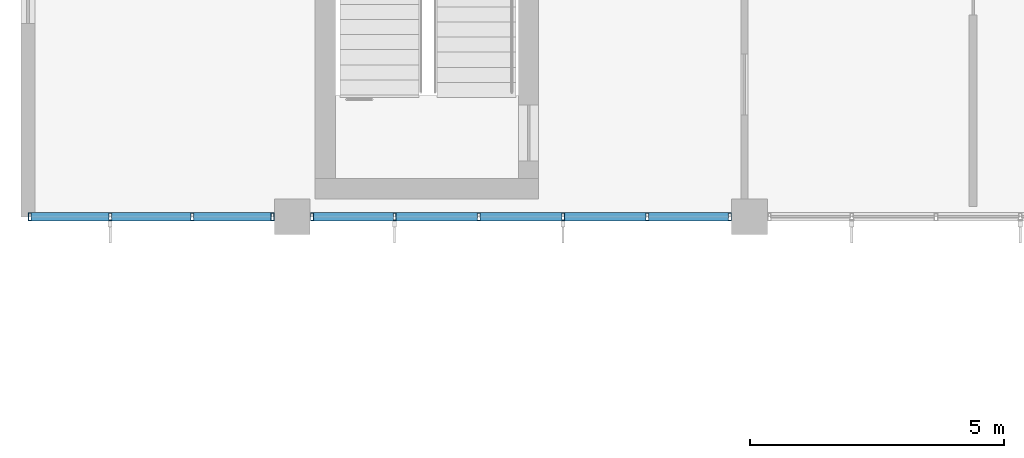
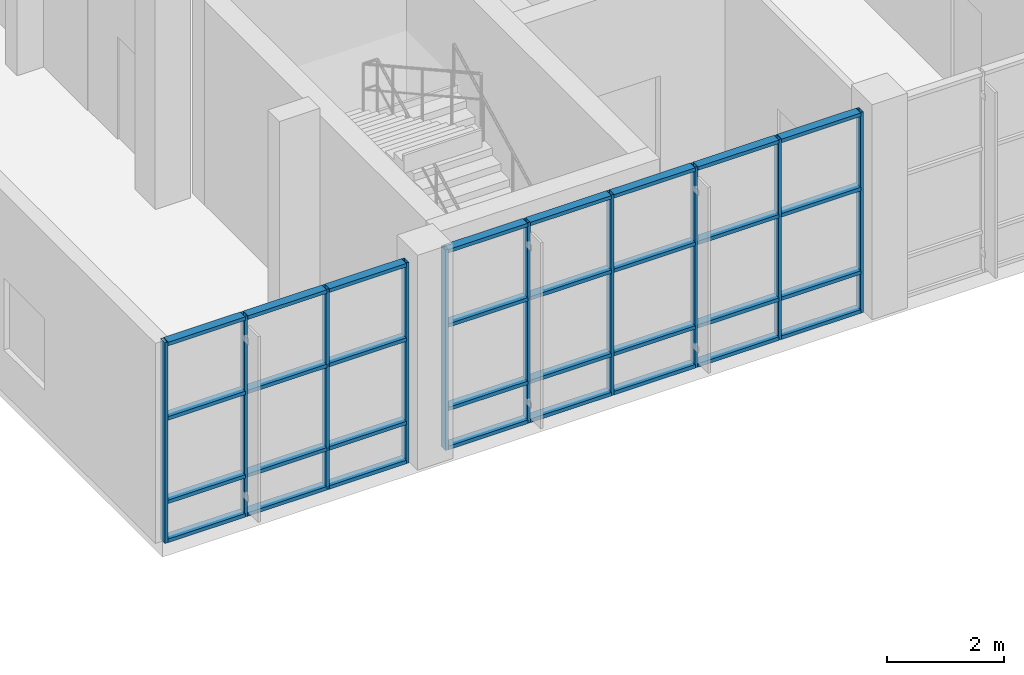
# One storey, part 5 of 29: 42 members, 2 elements without a shape of their own.
"""IFC4 building model written with IfcOpenShell, lengths in metres."""

from ifc_helpers import new_model, si_unit, direction, frame, origin, origin_2d, place, context, subcontext, project, spatial, hollow_rectangle, extrude, material, layer, layer_set, material_profile, profile_set, type_object, element, aggregate, save


model = new_model("IFC4")

# Units and contexts
model_context = context("Model", 3, precision=1e-05, world=origin(), true_north=direction((0.0, 1.0)))
body_context = subcontext(model_context, "Body", "Model", "MODEL_VIEW")
ifc_project = project(units=[si_unit("LENGTHUNIT", "METRE"), si_unit("AREAUNIT", "SQUARE_METRE"), si_unit("VOLUMEUNIT", "CUBIC_METRE"), si_unit("PLANEANGLEUNIT", "RADIAN"), si_unit("MASSUNIT", "GRAM", prefix="KILO")], contexts=[model_context])

# Site, building, storey
site_placement = place(None, origin())
site = spatial("IfcSite", under=ifc_project, at=site_placement, CompositionType="ELEMENT")
building_placement = place(site_placement, origin())
building = spatial("IfcBuilding", under=site, at=building_placement, Name="Ventoquebrada Cableway Terminal", CompositionType="ELEMENT")
storey_placement = place(building_placement, frame((0.0, 0.0, 18.89990234375)))
storey = spatial("IfcBuildingStorey", under=building, at=storey_placement, Name="L04", CompositionType="ELEMENT", Elevation=18.89990234375)

# Curtain wall, members
ifc_material = material(Name="Anodized thermally-broken aluminium", Category="aluminium")
ifc_layer_1 = layer(ifc_material, 0.159912109375)
ifc_layer_set_1 = layer_set([ifc_layer_1], Name="Anodized thermally-broken aluminium")
curtain_wall_type_1 = type_object("IfcCurtainWallType", Name="CW-T25", PredefinedType="USERDEFINED", material=ifc_layer_set_1)
curtain_wall_1_placement = place(storey_placement, origin())
curtain_wall_1 = element("IfcCurtainWall", 1, at=curtain_wall_1_placement, inside=storey, type_object=curtain_wall_type_1, Name="Unitised glazed curtain wall CW-060", ObjectType="UNITISED CURTAIN WALL", PredefinedType="USERDEFINED")
ifc_material_profile_1 = material_profile(ifc_material, hollow_rectangle(XDim=0.06005859375, YDim=0.14990234375, WallThickness=0.00390625, at=origin_2d()), Name="CW-MUL-60X150")
ifc_profile_set_1 = profile_set([ifc_material_profile_1], Name="Anodized thermally-broken aluminium")
member_type_1 = type_object("IfcMemberType", Name="CWM-03", PredefinedType="MULLION", material=ifc_profile_set_1)
member_1_placement = place(storey_placement, frame((3.034912109375, 77.0, -0.0078125), z_axis=(0.0, 0.0, 1.0), x_axis=(1.0, 0.0, 0.0)))
member_1 = element("IfcMember", 2, at=member_1_placement, type_object=member_type_1, Name="Curtain wall mullion FML-0276", PredefinedType="MULLION", context=body_context, shape_type="SweptSolid", body=[
    extrude(hollow_rectangle(XDim=0.06005859375, YDim=0.14990234375, WallThickness=0.00390625, at=origin_2d()), origin(), (0.0, 0.0, 1.0), 4.202880859375),
])
member_2_placement = place(storey_placement, frame((4.614990234375, 77.0, -0.0078125), z_axis=(0.0, 0.0, 1.0), x_axis=(1.0, 0.0, 0.0)))
member_2 = element("IfcMember", 3, at=member_2_placement, type_object=member_type_1, Name="Curtain wall mullion FML-0277", PredefinedType="MULLION", context=body_context, shape_type="SweptSolid", body=[
    extrude(hollow_rectangle(XDim=0.06005859375, YDim=0.14990234375, WallThickness=0.00390625, at=origin_2d()), origin(), (0.0, 0.0, 1.0), 4.202880859375),
])
member_3_placement = place(storey_placement, frame((6.22998046875, 77.0, -0.0078125), z_axis=(0.0, 0.0, 1.0), x_axis=(1.0, 0.0, 0.0)))
member_3 = element("IfcMember", 4, at=member_3_placement, type_object=member_type_1, Name="Curtain wall mullion FML-0278", PredefinedType="MULLION", context=body_context, shape_type="SweptSolid", body=[
    extrude(hollow_rectangle(XDim=0.06005859375, YDim=0.14990234375, WallThickness=0.00390625, at=origin_2d()), origin(), (0.0, 0.0, 1.0), 4.202880859375),
])
member_4_placement = place(storey_placement, frame((7.81005859375, 77.0, -0.0078125), z_axis=(0.0, 0.0, 1.0), x_axis=(1.0, 0.0, 0.0)))
member_4 = element("IfcMember", 5, at=member_4_placement, type_object=member_type_1, Name="Curtain wall mullion FML-0279", PredefinedType="MULLION", context=body_context, shape_type="SweptSolid", body=[
    extrude(hollow_rectangle(XDim=0.06005859375, YDim=0.14990234375, WallThickness=0.00390625, at=origin_2d()), origin(), (0.0, 0.0, 1.0), 4.202880859375),
])

ifc_layer_2 = layer(ifc_material, 0.159912109375)
ifc_layer_set_2 = layer_set([ifc_layer_2], Name="Anodized thermally-broken aluminium")
curtain_wall_type_2 = type_object("IfcCurtainWallType", Name="CW-T26", PredefinedType="USERDEFINED", material=ifc_layer_set_2)
curtain_wall_2_placement = place(storey_placement, origin())
curtain_wall_2 = element("IfcCurtainWall", 6, at=curtain_wall_2_placement, inside=storey, type_object=curtain_wall_type_2, Name="Unitised glazed curtain wall CW-061", ObjectType="UNITISED CURTAIN WALL", PredefinedType="USERDEFINED")
member_5_placement = place(storey_placement, frame((8.590087890625, 77.0, -0.0078125), z_axis=(0.0, 0.0, 1.0), x_axis=(1.0, 0.0, 0.0)))
member_5 = element("IfcMember", 7, at=member_5_placement, type_object=member_type_1, Name="Curtain wall mullion FML-0280", PredefinedType="MULLION", context=body_context, shape_type="SweptSolid", body=[
    extrude(hollow_rectangle(XDim=0.06005859375, YDim=0.14990234375, WallThickness=0.00390625, at=origin_2d()), origin(), (0.0, 0.0, 1.0), 4.202880859375),
])
member_6_placement = place(storey_placement, frame((10.212890625, 77.0, -0.0078125), z_axis=(0.0, 0.0, 1.0), x_axis=(1.0, 0.0, 0.0)))
member_6 = element("IfcMember", 8, at=member_6_placement, type_object=member_type_1, Name="Curtain wall mullion FML-0281", PredefinedType="MULLION", context=body_context, shape_type="SweptSolid", body=[
    extrude(hollow_rectangle(XDim=0.06005859375, YDim=0.14990234375, WallThickness=0.00390625, at=origin_2d()), origin(), (0.0, 0.0, 1.0), 4.202880859375),
])
member_7_placement = place(storey_placement, frame((11.87109375, 77.0, -0.0078125), z_axis=(0.0, 0.0, 1.0), x_axis=(1.0, 0.0, 0.0)))
member_7 = element("IfcMember", 9, at=member_7_placement, type_object=member_type_1, Name="Curtain wall mullion FML-0282", PredefinedType="MULLION", context=body_context, shape_type="SweptSolid", body=[
    extrude(hollow_rectangle(XDim=0.06005859375, YDim=0.14990234375, WallThickness=0.00390625, at=origin_2d()), origin(), (0.0, 0.0, 1.0), 4.202880859375),
])
member_8_placement = place(storey_placement, frame((13.529052734375, 77.0, -0.0078125), z_axis=(0.0, 0.0, 1.0), x_axis=(1.0, 0.0, 0.0)))
member_8 = element("IfcMember", 10, at=member_8_placement, type_object=member_type_1, Name="Curtain wall mullion FML-0283", PredefinedType="MULLION", context=body_context, shape_type="SweptSolid", body=[
    extrude(hollow_rectangle(XDim=0.06005859375, YDim=0.14990234375, WallThickness=0.00390625, at=origin_2d()), origin(), (0.0, 0.0, 1.0), 4.202880859375),
])
member_9_placement = place(storey_placement, frame((15.18701171875, 77.0, -0.0078125), z_axis=(0.0, 0.0, 1.0), x_axis=(1.0, 0.0, 0.0)))
member_9 = element("IfcMember", 11, at=member_9_placement, type_object=member_type_1, Name="Curtain wall mullion FML-0284", PredefinedType="MULLION", context=body_context, shape_type="SweptSolid", body=[
    extrude(hollow_rectangle(XDim=0.06005859375, YDim=0.14990234375, WallThickness=0.00390625, at=origin_2d()), origin(), (0.0, 0.0, 1.0), 4.202880859375),
])
member_10_placement = place(storey_placement, frame((16.81005859375, 77.0, -0.0078125), z_axis=(0.0, 0.0, 1.0), x_axis=(1.0, 0.0, 0.0)))
member_10 = element("IfcMember", 12, at=member_10_placement, type_object=member_type_1, Name="Curtain wall mullion FML-0285", PredefinedType="MULLION", context=body_context, shape_type="SweptSolid", body=[
    extrude(hollow_rectangle(XDim=0.06005859375, YDim=0.14990234375, WallThickness=0.00390625, at=origin_2d()), origin(), (0.0, 0.0, 1.0), 4.202880859375),
])

# Member
ifc_material_profile_2 = material_profile(ifc_material, hollow_rectangle(XDim=0.074951171875, YDim=0.169921875, WallThickness=0.00439453125, at=origin_2d()), Name="CW-TRN-75X170")
ifc_profile_set_2 = profile_set([ifc_material_profile_2], Name="Anodized thermally-broken aluminium")
member_type_2 = type_object("IfcMemberType", Name="CWT-03", PredefinedType="USERDEFINED", material=ifc_profile_set_2)
member_11_placement = place(storey_placement, frame((3.06005859375, 77.0, 0.03515625), z_axis=(1.0, 0.0, 0.0), x_axis=(0.0, 0.0, 1.0)))
member_11 = element("IfcMember", 13, at=member_11_placement, type_object=member_type_2, Name="Curtain wall transom FTR-0810", ObjectType="TRANSOM", PredefinedType="USERDEFINED", context=body_context, shape_type="SweptSolid", body=[
    extrude(hollow_rectangle(XDim=0.074951171875, YDim=0.169921875, WallThickness=0.00439453125, at=origin_2d()), origin(), (0.0, 0.0, 1.0), 1.530029296875),
])

member_12_placement = place(storey_placement, frame((3.06005859375, 77.0, 0.85009765625), z_axis=(1.0, 0.0, 0.0), x_axis=(0.0, 0.0, 1.0)))
member_12 = element("IfcMember", 14, at=member_12_placement, type_object=member_type_2, Name="Curtain wall transom FTR-0811", ObjectType="TRANSOM", PredefinedType="USERDEFINED", context=body_context, shape_type="SweptSolid", body=[
    extrude(hollow_rectangle(XDim=0.074951171875, YDim=0.169921875, WallThickness=0.00439453125, at=origin_2d()), origin(), (0.0, 0.0, 1.0), 1.530029296875),
])

member_13_placement = place(storey_placement, frame((3.06005859375, 77.0, 2.59814453125), z_axis=(1.0, 0.0, 0.0), x_axis=(0.0, 0.0, 1.0)))
member_13 = element("IfcMember", 15, at=member_13_placement, type_object=member_type_2, Name="Curtain wall transom FTR-0812", ObjectType="TRANSOM", PredefinedType="USERDEFINED", context=body_context, shape_type="SweptSolid", body=[
    extrude(hollow_rectangle(XDim=0.074951171875, YDim=0.169921875, WallThickness=0.00439453125, at=origin_2d()), origin(), (0.0, 0.0, 1.0), 1.530029296875),
])

member_14_placement = place(storey_placement, frame((3.06005859375, 77.0, 4.155029296875), z_axis=(1.0, 0.0, 0.0), x_axis=(0.0, 0.0, 1.0)))
member_14 = element("IfcMember", 16, at=member_14_placement, type_object=member_type_2, Name="Curtain wall transom FTR-0813", ObjectType="TRANSOM", PredefinedType="USERDEFINED", context=body_context, shape_type="SweptSolid", body=[
    extrude(hollow_rectangle(XDim=0.074951171875, YDim=0.169921875, WallThickness=0.00439453125, at=origin_2d()), origin(), (0.0, 0.0, 1.0), 1.530029296875),
])

member_15_placement = place(storey_placement, frame((4.639892578125, 77.0, 0.03515625), z_axis=(1.0, 0.0, 0.0), x_axis=(0.0, 0.0, 1.0)))
member_15 = element("IfcMember", 17, at=member_15_placement, type_object=member_type_2, Name="Curtain wall transom FTR-0814", ObjectType="TRANSOM", PredefinedType="USERDEFINED", context=body_context, shape_type="SweptSolid", body=[
    extrude(hollow_rectangle(XDim=0.074951171875, YDim=0.169921875, WallThickness=0.00439453125, at=origin_2d()), origin(), (0.0, 0.0, 1.0), 1.565185546875),
])

member_16_placement = place(storey_placement, frame((4.639892578125, 77.0, 0.85009765625), z_axis=(1.0, 0.0, 0.0), x_axis=(0.0, 0.0, 1.0)))
member_16 = element("IfcMember", 18, at=member_16_placement, type_object=member_type_2, Name="Curtain wall transom FTR-0815", ObjectType="TRANSOM", PredefinedType="USERDEFINED", context=body_context, shape_type="SweptSolid", body=[
    extrude(hollow_rectangle(XDim=0.074951171875, YDim=0.169921875, WallThickness=0.00439453125, at=origin_2d()), origin(), (0.0, 0.0, 1.0), 1.565185546875),
])

member_17_placement = place(storey_placement, frame((4.639892578125, 77.0, 2.59814453125), z_axis=(1.0, 0.0, 0.0), x_axis=(0.0, 0.0, 1.0)))
member_17 = element("IfcMember", 19, at=member_17_placement, type_object=member_type_2, Name="Curtain wall transom FTR-0816", ObjectType="TRANSOM", PredefinedType="USERDEFINED", context=body_context, shape_type="SweptSolid", body=[
    extrude(hollow_rectangle(XDim=0.074951171875, YDim=0.169921875, WallThickness=0.00439453125, at=origin_2d()), origin(), (0.0, 0.0, 1.0), 1.565185546875),
])

member_18_placement = place(storey_placement, frame((4.639892578125, 77.0, 4.155029296875), z_axis=(1.0, 0.0, 0.0), x_axis=(0.0, 0.0, 1.0)))
member_18 = element("IfcMember", 20, at=member_18_placement, type_object=member_type_2, Name="Curtain wall transom FTR-0817", ObjectType="TRANSOM", PredefinedType="USERDEFINED", context=body_context, shape_type="SweptSolid", body=[
    extrude(hollow_rectangle(XDim=0.074951171875, YDim=0.169921875, WallThickness=0.00439453125, at=origin_2d()), origin(), (0.0, 0.0, 1.0), 1.565185546875),
])

member_19_placement = place(storey_placement, frame((6.2548828125, 77.0, 0.03515625), z_axis=(1.0, 0.0, 0.0), x_axis=(0.0, 0.0, 1.0)))
member_19 = element("IfcMember", 21, at=member_19_placement, type_object=member_type_2, Name="Curtain wall transom FTR-0818", ObjectType="TRANSOM", PredefinedType="USERDEFINED", context=body_context, shape_type="SweptSolid", body=[
    extrude(hollow_rectangle(XDim=0.074951171875, YDim=0.169921875, WallThickness=0.00439453125, at=origin_2d()), origin(), (0.0, 0.0, 1.0), 1.530029296875),
])

member_20_placement = place(storey_placement, frame((6.2548828125, 77.0, 0.85009765625), z_axis=(1.0, 0.0, 0.0), x_axis=(0.0, 0.0, 1.0)))
member_20 = element("IfcMember", 22, at=member_20_placement, type_object=member_type_2, Name="Curtain wall transom FTR-0819", ObjectType="TRANSOM", PredefinedType="USERDEFINED", context=body_context, shape_type="SweptSolid", body=[
    extrude(hollow_rectangle(XDim=0.074951171875, YDim=0.169921875, WallThickness=0.00439453125, at=origin_2d()), origin(), (0.0, 0.0, 1.0), 1.530029296875),
])

member_21_placement = place(storey_placement, frame((6.2548828125, 77.0, 2.59814453125), z_axis=(1.0, 0.0, 0.0), x_axis=(0.0, 0.0, 1.0)))
member_21 = element("IfcMember", 23, at=member_21_placement, type_object=member_type_2, Name="Curtain wall transom FTR-0820", ObjectType="TRANSOM", PredefinedType="USERDEFINED", context=body_context, shape_type="SweptSolid", body=[
    extrude(hollow_rectangle(XDim=0.074951171875, YDim=0.169921875, WallThickness=0.00439453125, at=origin_2d()), origin(), (0.0, 0.0, 1.0), 1.530029296875),
])

member_22_placement = place(storey_placement, frame((6.2548828125, 77.0, 4.155029296875), z_axis=(1.0, 0.0, 0.0), x_axis=(0.0, 0.0, 1.0)))
member_22 = element("IfcMember", 24, at=member_22_placement, type_object=member_type_2, Name="Curtain wall transom FTR-0821", ObjectType="TRANSOM", PredefinedType="USERDEFINED", context=body_context, shape_type="SweptSolid", body=[
    extrude(hollow_rectangle(XDim=0.074951171875, YDim=0.169921875, WallThickness=0.00439453125, at=origin_2d()), origin(), (0.0, 0.0, 1.0), 1.530029296875),
])

aggregate(curtain_wall_1, [member_1, member_2, member_3, member_4, member_11, member_12, member_13, member_14, member_15, member_16, member_17, member_18, member_19, member_20, member_21, member_22])

member_23_placement = place(storey_placement, frame((8.614990234375, 77.0, 0.03515625), z_axis=(1.0, 0.0, 0.0), x_axis=(0.0, 0.0, 1.0)))
member_23 = element("IfcMember", 25, at=member_23_placement, type_object=member_type_2, Name="Curtain wall transom FTR-0822", ObjectType="TRANSOM", PredefinedType="USERDEFINED", context=body_context, shape_type="SweptSolid", body=[
    extrude(hollow_rectangle(XDim=0.074951171875, YDim=0.169921875, WallThickness=0.00439453125, at=origin_2d()), origin(), (0.0, 0.0, 1.0), 1.572998046875),
])

member_24_placement = place(storey_placement, frame((8.614990234375, 77.0, 0.85009765625), z_axis=(1.0, 0.0, 0.0), x_axis=(0.0, 0.0, 1.0)))
member_24 = element("IfcMember", 26, at=member_24_placement, type_object=member_type_2, Name="Curtain wall transom FTR-0823", ObjectType="TRANSOM", PredefinedType="USERDEFINED", context=body_context, shape_type="SweptSolid", body=[
    extrude(hollow_rectangle(XDim=0.074951171875, YDim=0.169921875, WallThickness=0.00439453125, at=origin_2d()), origin(), (0.0, 0.0, 1.0), 1.572998046875),
])

member_25_placement = place(storey_placement, frame((8.614990234375, 77.0, 2.59814453125), z_axis=(1.0, 0.0, 0.0), x_axis=(0.0, 0.0, 1.0)))
member_25 = element("IfcMember", 27, at=member_25_placement, type_object=member_type_2, Name="Curtain wall transom FTR-0824", ObjectType="TRANSOM", PredefinedType="USERDEFINED", context=body_context, shape_type="SweptSolid", body=[
    extrude(hollow_rectangle(XDim=0.074951171875, YDim=0.169921875, WallThickness=0.00439453125, at=origin_2d()), origin(), (0.0, 0.0, 1.0), 1.572998046875),
])

member_26_placement = place(storey_placement, frame((8.614990234375, 77.0, 4.155029296875), z_axis=(1.0, 0.0, 0.0), x_axis=(0.0, 0.0, 1.0)))
member_26 = element("IfcMember", 28, at=member_26_placement, type_object=member_type_2, Name="Curtain wall transom FTR-0825", ObjectType="TRANSOM", PredefinedType="USERDEFINED", context=body_context, shape_type="SweptSolid", body=[
    extrude(hollow_rectangle(XDim=0.074951171875, YDim=0.169921875, WallThickness=0.00439453125, at=origin_2d()), origin(), (0.0, 0.0, 1.0), 1.572998046875),
])

member_27_placement = place(storey_placement, frame((10.238037109375, 77.0, 0.03515625), z_axis=(1.0, 0.0, 0.0), x_axis=(0.0, 0.0, 1.0)))
member_27 = element("IfcMember", 29, at=member_27_placement, type_object=member_type_2, Name="Curtain wall transom FTR-0826", ObjectType="TRANSOM", PredefinedType="USERDEFINED", context=body_context, shape_type="SweptSolid", body=[
    extrude(hollow_rectangle(XDim=0.074951171875, YDim=0.169921875, WallThickness=0.00439453125, at=origin_2d()), origin(), (0.0, 0.0, 1.0), 1.60791015625),
])

member_28_placement = place(storey_placement, frame((10.238037109375, 77.0, 0.85009765625), z_axis=(1.0, 0.0, 0.0), x_axis=(0.0, 0.0, 1.0)))
member_28 = element("IfcMember", 30, at=member_28_placement, type_object=member_type_2, Name="Curtain wall transom FTR-0827", ObjectType="TRANSOM", PredefinedType="USERDEFINED", context=body_context, shape_type="SweptSolid", body=[
    extrude(hollow_rectangle(XDim=0.074951171875, YDim=0.169921875, WallThickness=0.00439453125, at=origin_2d()), origin(), (0.0, 0.0, 1.0), 1.60791015625),
])

member_29_placement = place(storey_placement, frame((10.238037109375, 77.0, 2.59814453125), z_axis=(1.0, 0.0, 0.0), x_axis=(0.0, 0.0, 1.0)))
member_29 = element("IfcMember", 31, at=member_29_placement, type_object=member_type_2, Name="Curtain wall transom FTR-0828", ObjectType="TRANSOM", PredefinedType="USERDEFINED", context=body_context, shape_type="SweptSolid", body=[
    extrude(hollow_rectangle(XDim=0.074951171875, YDim=0.169921875, WallThickness=0.00439453125, at=origin_2d()), origin(), (0.0, 0.0, 1.0), 1.60791015625),
])

member_30_placement = place(storey_placement, frame((10.238037109375, 77.0, 4.155029296875), z_axis=(1.0, 0.0, 0.0), x_axis=(0.0, 0.0, 1.0)))
member_30 = element("IfcMember", 32, at=member_30_placement, type_object=member_type_2, Name="Curtain wall transom FTR-0829", ObjectType="TRANSOM", PredefinedType="USERDEFINED", context=body_context, shape_type="SweptSolid", body=[
    extrude(hollow_rectangle(XDim=0.074951171875, YDim=0.169921875, WallThickness=0.00439453125, at=origin_2d()), origin(), (0.0, 0.0, 1.0), 1.60791015625),
])

member_31_placement = place(storey_placement, frame((11.89599609375, 77.0, 0.03515625), z_axis=(1.0, 0.0, 0.0), x_axis=(0.0, 0.0, 1.0)))
member_31 = element("IfcMember", 33, at=member_31_placement, type_object=member_type_2, Name="Curtain wall transom FTR-0830", ObjectType="TRANSOM", PredefinedType="USERDEFINED", context=body_context, shape_type="SweptSolid", body=[
    extrude(hollow_rectangle(XDim=0.074951171875, YDim=0.169921875, WallThickness=0.00439453125, at=origin_2d()), origin(), (0.0, 0.0, 1.0), 1.60791015625),
])

member_32_placement = place(storey_placement, frame((11.89599609375, 77.0, 0.85009765625), z_axis=(1.0, 0.0, 0.0), x_axis=(0.0, 0.0, 1.0)))
member_32 = element("IfcMember", 34, at=member_32_placement, type_object=member_type_2, Name="Curtain wall transom FTR-0831", ObjectType="TRANSOM", PredefinedType="USERDEFINED", context=body_context, shape_type="SweptSolid", body=[
    extrude(hollow_rectangle(XDim=0.074951171875, YDim=0.169921875, WallThickness=0.00439453125, at=origin_2d()), origin(), (0.0, 0.0, 1.0), 1.60791015625),
])

member_33_placement = place(storey_placement, frame((11.89599609375, 77.0, 2.59814453125), z_axis=(1.0, 0.0, 0.0), x_axis=(0.0, 0.0, 1.0)))
member_33 = element("IfcMember", 35, at=member_33_placement, type_object=member_type_2, Name="Curtain wall transom FTR-0832", ObjectType="TRANSOM", PredefinedType="USERDEFINED", context=body_context, shape_type="SweptSolid", body=[
    extrude(hollow_rectangle(XDim=0.074951171875, YDim=0.169921875, WallThickness=0.00439453125, at=origin_2d()), origin(), (0.0, 0.0, 1.0), 1.60791015625),
])

member_34_placement = place(storey_placement, frame((11.89599609375, 77.0, 4.155029296875), z_axis=(1.0, 0.0, 0.0), x_axis=(0.0, 0.0, 1.0)))
member_34 = element("IfcMember", 36, at=member_34_placement, type_object=member_type_2, Name="Curtain wall transom FTR-0833", ObjectType="TRANSOM", PredefinedType="USERDEFINED", context=body_context, shape_type="SweptSolid", body=[
    extrude(hollow_rectangle(XDim=0.074951171875, YDim=0.169921875, WallThickness=0.00439453125, at=origin_2d()), origin(), (0.0, 0.0, 1.0), 1.60791015625),
])

member_35_placement = place(storey_placement, frame((13.553955078125, 77.0, 0.03515625), z_axis=(1.0, 0.0, 0.0), x_axis=(0.0, 0.0, 1.0)))
member_35 = element("IfcMember", 37, at=member_35_placement, type_object=member_type_2, Name="Curtain wall transom FTR-0834", ObjectType="TRANSOM", PredefinedType="USERDEFINED", context=body_context, shape_type="SweptSolid", body=[
    extrude(hollow_rectangle(XDim=0.074951171875, YDim=0.169921875, WallThickness=0.00439453125, at=origin_2d()), origin(), (0.0, 0.0, 1.0), 1.608154296875),
])

member_36_placement = place(storey_placement, frame((13.553955078125, 77.0, 0.85009765625), z_axis=(1.0, 0.0, 0.0), x_axis=(0.0, 0.0, 1.0)))
member_36 = element("IfcMember", 38, at=member_36_placement, type_object=member_type_2, Name="Curtain wall transom FTR-0835", ObjectType="TRANSOM", PredefinedType="USERDEFINED", context=body_context, shape_type="SweptSolid", body=[
    extrude(hollow_rectangle(XDim=0.074951171875, YDim=0.169921875, WallThickness=0.00439453125, at=origin_2d()), origin(), (0.0, 0.0, 1.0), 1.608154296875),
])

member_37_placement = place(storey_placement, frame((13.553955078125, 77.0, 2.59814453125), z_axis=(1.0, 0.0, 0.0), x_axis=(0.0, 0.0, 1.0)))
member_37 = element("IfcMember", 39, at=member_37_placement, type_object=member_type_2, Name="Curtain wall transom FTR-0836", ObjectType="TRANSOM", PredefinedType="USERDEFINED", context=body_context, shape_type="SweptSolid", body=[
    extrude(hollow_rectangle(XDim=0.074951171875, YDim=0.169921875, WallThickness=0.00439453125, at=origin_2d()), origin(), (0.0, 0.0, 1.0), 1.608154296875),
])

member_38_placement = place(storey_placement, frame((13.553955078125, 77.0, 4.155029296875), z_axis=(1.0, 0.0, 0.0), x_axis=(0.0, 0.0, 1.0)))
member_38 = element("IfcMember", 40, at=member_38_placement, type_object=member_type_2, Name="Curtain wall transom FTR-0837", ObjectType="TRANSOM", PredefinedType="USERDEFINED", context=body_context, shape_type="SweptSolid", body=[
    extrude(hollow_rectangle(XDim=0.074951171875, YDim=0.169921875, WallThickness=0.00439453125, at=origin_2d()), origin(), (0.0, 0.0, 1.0), 1.608154296875),
])

member_39_placement = place(storey_placement, frame((15.2119140625, 77.0, 0.03515625), z_axis=(1.0, 0.0, 0.0), x_axis=(0.0, 0.0, 1.0)))
member_39 = element("IfcMember", 41, at=member_39_placement, type_object=member_type_2, Name="Curtain wall transom FTR-0838", ObjectType="TRANSOM", PredefinedType="USERDEFINED", context=body_context, shape_type="SweptSolid", body=[
    extrude(hollow_rectangle(XDim=0.074951171875, YDim=0.169921875, WallThickness=0.00439453125, at=origin_2d()), origin(), (0.0, 0.0, 1.0), 1.572998046875),
])

member_40_placement = place(storey_placement, frame((15.2119140625, 77.0, 0.85009765625), z_axis=(1.0, 0.0, 0.0), x_axis=(0.0, 0.0, 1.0)))
member_40 = element("IfcMember", 42, at=member_40_placement, type_object=member_type_2, Name="Curtain wall transom FTR-0839", ObjectType="TRANSOM", PredefinedType="USERDEFINED", context=body_context, shape_type="SweptSolid", body=[
    extrude(hollow_rectangle(XDim=0.074951171875, YDim=0.169921875, WallThickness=0.00439453125, at=origin_2d()), origin(), (0.0, 0.0, 1.0), 1.572998046875),
])

member_41_placement = place(storey_placement, frame((15.2119140625, 77.0, 2.59814453125), z_axis=(1.0, 0.0, 0.0), x_axis=(0.0, 0.0, 1.0)))
member_41 = element("IfcMember", 43, at=member_41_placement, type_object=member_type_2, Name="Curtain wall transom FTR-0840", ObjectType="TRANSOM", PredefinedType="USERDEFINED", context=body_context, shape_type="SweptSolid", body=[
    extrude(hollow_rectangle(XDim=0.074951171875, YDim=0.169921875, WallThickness=0.00439453125, at=origin_2d()), origin(), (0.0, 0.0, 1.0), 1.572998046875),
])

member_42_placement = place(storey_placement, frame((15.2119140625, 77.0, 4.155029296875), z_axis=(1.0, 0.0, 0.0), x_axis=(0.0, 0.0, 1.0)))
member_42 = element("IfcMember", 44, at=member_42_placement, type_object=member_type_2, Name="Curtain wall transom FTR-0841", ObjectType="TRANSOM", PredefinedType="USERDEFINED", context=body_context, shape_type="SweptSolid", body=[
    extrude(hollow_rectangle(XDim=0.074951171875, YDim=0.169921875, WallThickness=0.00439453125, at=origin_2d()), origin(), (0.0, 0.0, 1.0), 1.572998046875),
])

aggregate(curtain_wall_2, [member_5, member_6, member_7, member_8, member_9, member_10, member_23, member_24, member_25, member_26, member_27, member_28, member_29, member_30, member_31, member_32, member_33, member_34, member_35, member_36, member_37, member_38, member_39, member_40, member_41, member_42])

save(model, "model.ifc")
